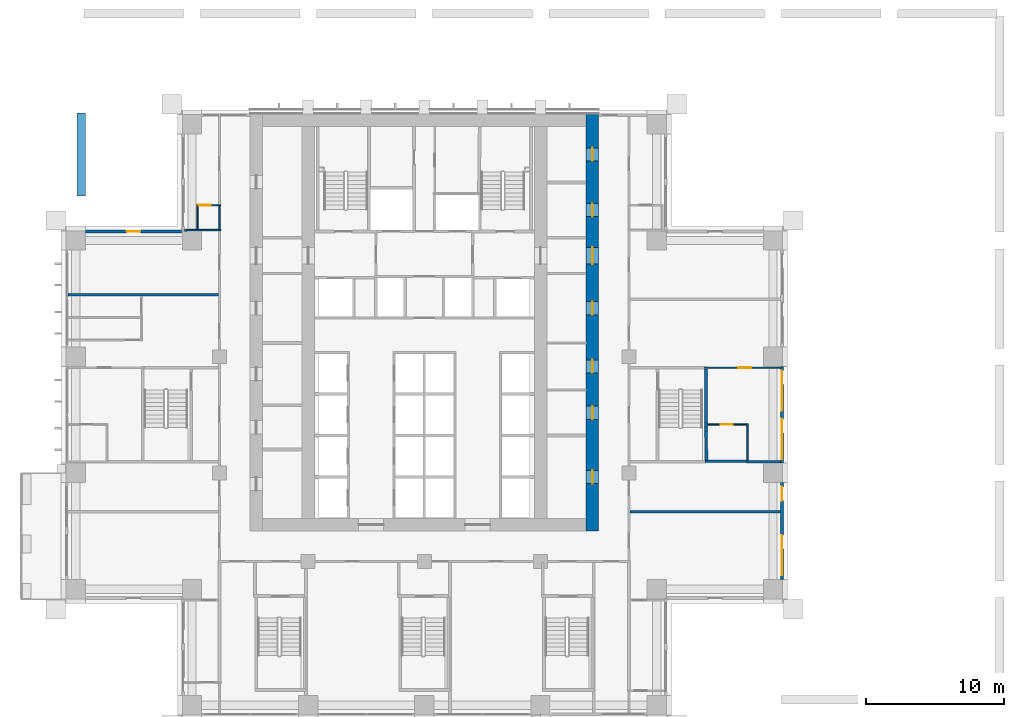
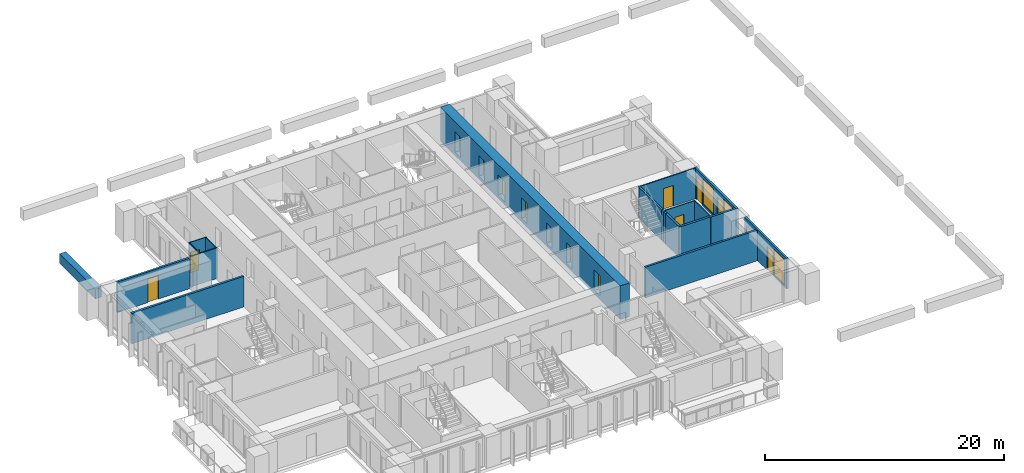
# One storey, part 11 of 18: 21 walls, 15 doors, 3 windows, 18 openings.
"""IFC4 building model written with IfcOpenShell, lengths in metres."""

from ifc_helpers import new_model, si_unit, direction, frame, frame_2d, origin, place, context, subcontext, project, spatial, rectangle, extrude, material, layer, layer_set, type_object, element, fill, save


model = new_model("IFC4")

# Units and contexts
model_context = context("Model", 3, precision=1e-05, world=origin(), true_north=direction((0.0, 1.0)))
body_context = subcontext(model_context, "Body", "Model", "MODEL_VIEW")
ifc_project = project(units=[si_unit("LENGTHUNIT", "METRE"), si_unit("AREAUNIT", "SQUARE_METRE"), si_unit("VOLUMEUNIT", "CUBIC_METRE"), si_unit("PLANEANGLEUNIT", "RADIAN"), si_unit("MASSUNIT", "GRAM", prefix="KILO")], contexts=[model_context])

# Site, building, storey
site_placement = place(None, origin())
site = spatial("IfcSite", under=ifc_project, at=site_placement, CompositionType="ELEMENT")
building_placement = place(site_placement, origin())
building = spatial("IfcBuilding", under=site, at=building_placement, Name="Vermilion Ogive Tower", CompositionType="ELEMENT")
storey_placement = place(building_placement, frame((0.0, 0.0, 34.5)))
storey = spatial("IfcBuildingStorey", under=building, at=storey_placement, Name="L06", CompositionType="ELEMENT", Elevation=34.5)

# Wall, openings, doors
ifc_material_1 = material(Name="Concrete B80", Category="concrete")
ifc_layer_1 = layer(ifc_material_1, 0.89990234375)
ifc_layer_set_1 = layer_set([ifc_layer_1], Name="Core wall 900 B80")
wall_type_1 = type_object("IfcWallType", Name="Core wall 900 B80", PredefinedType="SHEAR", material=ifc_layer_set_1)
wall_1_placement = place(storey_placement, frame((12.14990234375, -8.39990234375, -0.320068359375), z_axis=(0.0, 0.0, 1.0), x_axis=(0.0, 1.0, 0.0)))
wall_1 = element("IfcWall", 1, at=wall_1_placement, inside=storey, type_object=wall_type_1, Name="L06-CORE-E", PredefinedType="SHEAR", context=body_context, shape_type="SweptSolid", body=[
    extrude(rectangle(XDim=30.14990234375, YDim=0.89990234375, at=frame_2d((15.074951171875, 0.0))), origin(), (0.0, 0.0, 1.0), 3.449951171875),
])
opening_1_placement = place(wall_1_placement, frame((3.425048828125, 0.0, 0.320068359375)))
opening_1 = element("IfcOpeningElement", 2, at=opening_1_placement, cuts=wall_1, Name="Opening DAC001", PredefinedType="OPENING", context=body_context, shape_type="SweptSolid", body=[
    extrude(rectangle(XDim=0.949951171875, YDim=2.10009765625, at=frame_2d((0.47509765625, 1.050048828125))), frame((0.0, 0.4599609375, 0.0), z_axis=(0.0, -1.0, 0.0), x_axis=(1.0, 0.0, 0.0)), (0.0, 0.0, 1.0), 0.919921875),
])
opening_2_placement = place(wall_1_placement, frame((8.074951171875, 0.0, 0.320068359375)))
opening_2 = element("IfcOpeningElement", 3, at=opening_2_placement, cuts=wall_1, Name="Opening DAC002", PredefinedType="OPENING", context=body_context, shape_type="SweptSolid", body=[
    extrude(rectangle(XDim=0.949951171875, YDim=2.10009765625, at=frame_2d((0.47509765625, 1.050048828125))), frame((0.0, 0.4599609375, 0.0), z_axis=(0.0, -1.0, 0.0), x_axis=(1.0, 0.0, 0.0)), (0.0, 0.0, 1.0), 0.919921875),
])
opening_3_placement = place(wall_1_placement, frame((11.425048828125, 0.0, 0.320068359375)))
opening_3 = element("IfcOpeningElement", 4, at=opening_3_placement, cuts=wall_1, Name="Opening DAC003", PredefinedType="OPENING", context=body_context, shape_type="SweptSolid", body=[
    extrude(rectangle(XDim=0.949951171875, YDim=2.10009765625, at=frame_2d((0.47509765625, 1.050048828125))), frame((0.0, 0.4599609375, 0.0), z_axis=(0.0, -1.0, 0.0), x_axis=(1.0, 0.0, 0.0)), (0.0, 0.0, 1.0), 0.919921875),
])
opening_4_placement = place(wall_1_placement, frame((15.625, 0.0, 0.320068359375)))
opening_4 = element("IfcOpeningElement", 5, at=opening_4_placement, cuts=wall_1, Name="Opening DAC004", PredefinedType="OPENING", context=body_context, shape_type="SweptSolid", body=[
    extrude(rectangle(XDim=0.949951171875, YDim=2.10009765625, at=frame_2d((0.47509765625, 1.050048828125))), frame((0.0, 0.4599609375, 0.0), z_axis=(0.0, -1.0, 0.0), x_axis=(1.0, 0.0, 0.0)), (0.0, 0.0, 1.0), 0.919921875),
])
opening_5_placement = place(wall_1_placement, frame((22.72509765625, 0.0, 0.320068359375)))
opening_5 = element("IfcOpeningElement", 6, at=opening_5_placement, cuts=wall_1, Name="Opening DAC005", PredefinedType="OPENING", context=body_context, shape_type="SweptSolid", body=[
    extrude(rectangle(XDim=0.949951171875, YDim=2.10009765625, at=frame_2d((0.47509765625, 1.050048828125))), frame((0.0, 0.4599609375, 0.0), z_axis=(0.0, -1.0, 0.0), x_axis=(1.0, 0.0, 0.0)), (0.0, 0.0, 1.0), 0.919921875),
])
opening_6_placement = place(wall_1_placement, frame((26.75, 0.0, 0.320068359375)))
opening_6 = element("IfcOpeningElement", 7, at=opening_6_placement, cuts=wall_1, Name="Opening DAC006", PredefinedType="OPENING", context=body_context, shape_type="SweptSolid", body=[
    extrude(rectangle(XDim=0.949951171875, YDim=2.10009765625, at=frame_2d((0.47509765625, 1.050048828125))), frame((0.0, 0.4599609375, 0.0), z_axis=(0.0, -1.0, 0.0), x_axis=(1.0, 0.0, 0.0)), (0.0, 0.0, 1.0), 0.919921875),
])
opening_7_placement = place(wall_1_placement, frame((19.300048828125, 0.0, 0.320068359375)))
opening_7 = element("IfcOpeningElement", 8, at=opening_7_placement, cuts=wall_1, Name="Opening DAL001", PredefinedType="OPENING", context=body_context, shape_type="SweptSolid", body=[
    extrude(rectangle(XDim=1.199951171875, YDim=2.10009765625, at=frame_2d((0.60009765625, 1.050048828125))), frame((0.0, 0.4599609375, 0.0), z_axis=(0.0, -1.0, 0.0), x_axis=(1.0, 0.0, 0.0)), (0.0, 0.0, 1.0), 0.919921875),
])
ifc_material_2 = material(Name="Timber door leaf", Category="wood")
door_type_1 = type_object("IfcDoorType", Name="Link door 1200 x 2100 FD60S", OperationType="SINGLE_SWING_LEFT", PredefinedType="DOOR", material=ifc_material_2)
door_1_placement = place(opening_7_placement, origin())
door_1 = element("IfcDoor", 9, at=door_1_placement, inside=storey, type_object=door_type_1, Name="L06-CKE-XL", OperationType="SINGLE_SWING_LEFT", OverallHeight=2.10009765625, OverallWidth=1.199951171875, PredefinedType="DOOR", context=body_context, shape_type="SweptSolid", body=[
    extrude(rectangle(XDim=1.199951171875, YDim=2.10009765625, at=frame_2d((0.60009765625, 1.050048828125))), frame((0.0, 0.02490234375, 0.0), z_axis=(0.0, -1.0, 0.0), x_axis=(1.0, 0.0, 0.0)), (0.0, 0.0, 1.0), 0.050048828125),
])
fill(opening_7, door_1)
ifc_material_3 = material(Name="Timber door leaf", Category="wood")
door_type_2 = type_object("IfcDoorType", Name="Service door 950 x 2100 FD60", OperationType="SINGLE_SWING_LEFT", PredefinedType="DOOR", material=ifc_material_3)
door_2_placement = place(opening_1_placement, origin())
door_2 = element("IfcDoor", 10, at=door_2_placement, inside=storey, type_object=door_type_2, Name="L06-CKE-XR0", OperationType="SINGLE_SWING_LEFT", OverallHeight=2.10009765625, OverallWidth=0.949951171875, PredefinedType="DOOR", context=body_context, shape_type="SweptSolid", body=[
    extrude(rectangle(XDim=0.949951171875, YDim=2.10009765625, at=frame_2d((0.47509765625, 1.050048828125))), frame((0.0, 0.02490234375, 0.0), z_axis=(0.0, -1.0, 0.0), x_axis=(1.0, 0.0, 0.0)), (0.0, 0.0, 1.0), 0.050048828125),
])
fill(opening_1, door_2)
door_3_placement = place(opening_2_placement, origin())
door_3 = element("IfcDoor", 11, at=door_3_placement, inside=storey, type_object=door_type_2, Name="L06-CKE-XR1", OperationType="SINGLE_SWING_LEFT", OverallHeight=2.10009765625, OverallWidth=0.949951171875, PredefinedType="DOOR", context=body_context, shape_type="SweptSolid", body=[
    extrude(rectangle(XDim=0.949951171875, YDim=2.10009765625, at=frame_2d((0.47509765625, 1.050048828125))), frame((0.0, 0.02490234375, 0.0), z_axis=(0.0, -1.0, 0.0), x_axis=(1.0, 0.0, 0.0)), (0.0, 0.0, 1.0), 0.050048828125),
])
fill(opening_2, door_3)
door_4_placement = place(opening_3_placement, origin())
door_4 = element("IfcDoor", 12, at=door_4_placement, inside=storey, type_object=door_type_2, Name="L06-CKE-XR2", OperationType="SINGLE_SWING_LEFT", OverallHeight=2.10009765625, OverallWidth=0.949951171875, PredefinedType="DOOR", context=body_context, shape_type="SweptSolid", body=[
    extrude(rectangle(XDim=0.949951171875, YDim=2.10009765625, at=frame_2d((0.47509765625, 1.050048828125))), frame((0.0, 0.02490234375, 0.0), z_axis=(0.0, -1.0, 0.0), x_axis=(1.0, 0.0, 0.0)), (0.0, 0.0, 1.0), 0.050048828125),
])
fill(opening_3, door_4)
door_5_placement = place(opening_4_placement, origin())
door_5 = element("IfcDoor", 13, at=door_5_placement, inside=storey, type_object=door_type_2, Name="L06-CKE-XR3", OperationType="SINGLE_SWING_LEFT", OverallHeight=2.10009765625, OverallWidth=0.949951171875, PredefinedType="DOOR", context=body_context, shape_type="SweptSolid", body=[
    extrude(rectangle(XDim=0.949951171875, YDim=2.10009765625, at=frame_2d((0.47509765625, 1.050048828125))), frame((0.0, 0.02490234375, 0.0), z_axis=(0.0, -1.0, 0.0), x_axis=(1.0, 0.0, 0.0)), (0.0, 0.0, 1.0), 0.050048828125),
])
fill(opening_4, door_5)
door_6_placement = place(opening_5_placement, origin())
door_6 = element("IfcDoor", 14, at=door_6_placement, inside=storey, type_object=door_type_2, Name="L06-CKE-XR4", OperationType="SINGLE_SWING_LEFT", OverallHeight=2.10009765625, OverallWidth=0.949951171875, PredefinedType="DOOR", context=body_context, shape_type="SweptSolid", body=[
    extrude(rectangle(XDim=0.949951171875, YDim=2.10009765625, at=frame_2d((0.47509765625, 1.050048828125))), frame((0.0, 0.02490234375, 0.0), z_axis=(0.0, -1.0, 0.0), x_axis=(1.0, 0.0, 0.0)), (0.0, 0.0, 1.0), 0.050048828125),
])
fill(opening_5, door_6)
door_7_placement = place(opening_6_placement, origin())
door_7 = element("IfcDoor", 15, at=door_7_placement, inside=storey, type_object=door_type_2, Name="L06-CKE-XR5", OperationType="SINGLE_SWING_LEFT", OverallHeight=2.10009765625, OverallWidth=0.949951171875, PredefinedType="DOOR", context=body_context, shape_type="SweptSolid", body=[
    extrude(rectangle(XDim=0.949951171875, YDim=2.10009765625, at=frame_2d((0.47509765625, 1.050048828125))), frame((0.0, 0.02490234375, 0.0), z_axis=(0.0, -1.0, 0.0), x_axis=(1.0, 0.0, 0.0)), (0.0, 0.0, 1.0), 0.050048828125),
])
fill(opening_6, door_7)

# Wall, opening, door
ifc_material_4 = material(Name="Gypsum board partition on steel studs", Category="steel")
ifc_layer_2 = layer(ifc_material_4, 0.10009765625)
ifc_layer_set_2 = layer_set([ifc_layer_2], Name="Partition 100 bath")
wall_type_2 = type_object("IfcWallType", Name="Partition 100 bath", PredefinedType="PARTITIONING", material=ifc_layer_set_2)
wall_2_placement = place(storey_placement, frame((20.449951171875, -0.699951171875, 0.0), z_axis=(0.0, 0.0, 1.0), x_axis=(1.0, 0.0, 0.0)))
wall_2 = element("IfcWall", 16, at=wall_2_placement, inside=storey, type_object=wall_type_2, Name="L06-W-W020", PredefinedType="PARTITIONING", context=body_context, shape_type="SweptSolid", body=[
    extrude(rectangle(XDim=2.949951171875, YDim=0.10009765625, at=frame_2d((1.47509765625, 0.0))), origin(), (0.0, 0.0, 1.0), 3.1298828125),
])
opening_8_placement = place(wall_2_placement, frame((0.97509765625, 0.0, 0.0)))
opening_8 = element("IfcOpeningElement", 17, at=opening_8_placement, cuts=wall_2, Name="Opening D1G1019", PredefinedType="OPENING", context=body_context, shape_type="SweptSolid", body=[
    extrude(rectangle(XDim=0.85009765625, YDim=2.10009765625, at=frame_2d((0.425048828125, 1.050048828125))), frame((0.0, 0.06005859375, 0.0), z_axis=(0.0, -1.0, 0.0), x_axis=(1.0, 0.0, 0.0)), (0.0, 0.0, 1.0), 0.1201171875),
])
ifc_material_5 = material(Name="Timber door leaf", Category="wood")
door_type_3 = type_object("IfcDoorType", Name="Bath door 850 x 2100 FD30", OperationType="SINGLE_SWING_LEFT", PredefinedType="DOOR", material=ifc_material_5)
door_8_placement = place(opening_8_placement, origin())
door_8 = element("IfcDoor", 18, at=door_8_placement, inside=storey, type_object=door_type_3, Name="L06-D-D019", OperationType="SINGLE_SWING_RIGHT", OverallHeight=2.10009765625, OverallWidth=0.85009765625, PredefinedType="DOOR", context=body_context, shape_type="SweptSolid", body=[
    extrude(rectangle(XDim=0.85009765625, YDim=2.10009765625, at=frame_2d((0.425048828125, 1.050048828125))), frame((0.0, 0.02490234375, 0.0), z_axis=(0.0, -1.0, 0.0), x_axis=(1.0, 0.0, 0.0)), (0.0, 0.0, 1.0), 0.050048828125),
])
fill(opening_8, door_8)

# Wall
wall_3_placement = place(storey_placement, frame((-17.25, 13.35009765625, 0.0), z_axis=(0.0, 0.0, 1.0), x_axis=(1.0, 0.0, 0.0)))
element("IfcWall", 19, at=wall_3_placement, inside=storey, type_object=wall_type_2, Name="L06-W-W030", PredefinedType="PARTITIONING", context=body_context, shape_type="SweptSolid", body=[
    extrude(rectangle(XDim=2.52490234375, YDim=0.10009765625, at=frame_2d((1.262451171875, 0.0))), origin(), (0.0, 0.0, 1.0), 3.1298828125),
])

# Wall, opening, door
wall_4_placement = place(storey_placement, frame((-16.449951171875, 15.14990234375, 0.0), z_axis=(0.0, 0.0, 1.0), x_axis=(1.0, 0.0, 0.0)))
wall_4 = element("IfcWall", 20, at=wall_4_placement, inside=storey, type_object=wall_type_2, Name="L06-W-W033", PredefinedType="PARTITIONING", context=body_context, shape_type="SweptSolid", body=[
    extrude(rectangle(XDim=1.724853515625, YDim=0.10009765625, at=frame_2d((0.8623046875, 0.0))), origin(), (0.0, 0.0, 1.0), 3.1298828125),
])
opening_9_placement = place(wall_4_placement, frame((0.14990234375, 0.0, 0.0)))
opening_9 = element("IfcOpeningElement", 21, at=opening_9_placement, cuts=wall_4, Name="Opening D1G1011", PredefinedType="OPENING", context=body_context, shape_type="SweptSolid", body=[
    extrude(rectangle(XDim=0.85009765625, YDim=2.10009765625, at=frame_2d((0.425048828125, 1.050048828125))), frame((0.0, 0.06005859375, 0.0), z_axis=(0.0, -1.0, 0.0), x_axis=(1.0, 0.0, 0.0)), (0.0, 0.0, 1.0), 0.1201171875),
])
door_9_placement = place(opening_9_placement, origin())
door_9 = element("IfcDoor", 22, at=door_9_placement, inside=storey, type_object=door_type_3, Name="L06-D-D011", OperationType="SINGLE_SWING_RIGHT", OverallHeight=2.10009765625, OverallWidth=0.85009765625, PredefinedType="DOOR", context=body_context, shape_type="SweptSolid", body=[
    extrude(rectangle(XDim=0.85009765625, YDim=2.10009765625, at=frame_2d((0.425048828125, 1.050048828125))), frame((0.0, 0.02490234375, 0.0), z_axis=(0.0, -1.0, 0.0), x_axis=(1.0, 0.0, 0.0)), (0.0, 0.0, 1.0), 0.050048828125),
])
fill(opening_9, door_9)

# Walls
wall_5_placement = place(storey_placement, frame((-16.39990234375, 13.449951171875, 0.0), z_axis=(0.0, 0.0, 1.0), x_axis=(0.0, 1.0, 0.0)))
element("IfcWall", 23, at=wall_5_placement, inside=storey, type_object=wall_type_2, Name="L06-W-W038", PredefinedType="PARTITIONING", context=body_context, shape_type="SweptSolid", body=[
    extrude(rectangle(XDim=1.650146484375, YDim=0.10009765625, at=frame_2d((0.8251953125, 0.0))), origin(), (0.0, 0.0, 1.0), 3.1298828125),
])
wall_6_placement = place(storey_placement, frame((-14.800048828125, 13.39990234375, 0.0), z_axis=(0.0, 0.0, 1.0), x_axis=(0.0, 1.0, 0.0)))
element("IfcWall", 24, at=wall_6_placement, inside=storey, type_object=wall_type_2, Name="L06-W-W043", PredefinedType="PARTITIONING", context=body_context, shape_type="SweptSolid", body=[
    extrude(rectangle(XDim=1.7001953125, YDim=0.10009765625, at=frame_2d((0.85009765625, 0.0))), origin(), (0.0, 0.0, 1.0), 3.1298828125),
])
wall_7_placement = place(storey_placement, frame((23.35009765625, -3.300048828125, 0.0), z_axis=(0.0, 0.0, 1.0), x_axis=(0.0, 1.0, 0.0)))
element("IfcWall", 25, at=wall_7_placement, inside=storey, type_object=wall_type_2, Name="L06-W-W066", PredefinedType="PARTITIONING", context=body_context, shape_type="SweptSolid", body=[
    extrude(rectangle(XDim=2.550048828125, YDim=0.10009765625, at=frame_2d((1.27490234375, 0.0))), origin(), (0.0, 0.0, 1.0), 3.1298828125),
])

# Wall, opening, door
ifc_material_6 = material(Name="Gypsum board partition on steel studs", Category="steel")
ifc_layer_3 = layer(ifc_material_6, 0.10009765625)
ifc_layer_set_3 = layer_set([ifc_layer_3], Name="Partition 100 inner")
wall_type_3 = type_object("IfcWallType", Name="Partition 100 inner", PredefinedType="PARTITIONING", material=ifc_layer_set_3)
wall_8_placement = place(storey_placement, frame((20.25, 3.39990234375, 0.0), z_axis=(0.0, 0.0, 1.0), x_axis=(1.0, 0.0, 0.0)))
wall_8 = element("IfcWall", 26, at=wall_8_placement, inside=storey, type_object=wall_type_3, Name="L06-W-W024", PredefinedType="PARTITIONING", context=body_context, shape_type="SweptSolid", body=[
    extrude(rectangle(XDim=5.5, YDim=0.10009765625, at=frame_2d((2.75, 0.0))), origin(), (0.0, 0.0, 1.0), 3.1298828125),
])
opening_10_placement = place(wall_8_placement, frame((2.425048828125, 0.0, 0.0)))
opening_10 = element("IfcOpeningElement", 27, at=opening_10_placement, cuts=wall_8, Name="Opening D1G1018", PredefinedType="OPENING", context=body_context, shape_type="SweptSolid", body=[
    extrude(rectangle(XDim=0.949951171875, YDim=2.10009765625, at=frame_2d((0.47509765625, 1.050048828125))), frame((0.0, 0.06005859375, 0.0), z_axis=(0.0, -1.0, 0.0), x_axis=(1.0, 0.0, 0.0)), (0.0, 0.0, 1.0), 0.1201171875),
])
ifc_material_7 = material(Name="Timber door leaf", Category="wood")
door_type_4 = type_object("IfcDoorType", Name="Inner door 950 x 2100 FD30", OperationType="SINGLE_SWING_LEFT", PredefinedType="DOOR", material=ifc_material_7)
door_10_placement = place(opening_10_placement, origin())
door_10 = element("IfcDoor", 28, at=door_10_placement, inside=storey, type_object=door_type_4, Name="L06-D-D018", OperationType="SINGLE_SWING_LEFT", OverallHeight=2.10009765625, OverallWidth=0.949951171875, PredefinedType="DOOR", context=body_context, shape_type="SweptSolid", body=[
    extrude(rectangle(XDim=0.949951171875, YDim=2.10009765625, at=frame_2d((0.47509765625, 1.050048828125))), frame((0.0, 0.02490234375, 0.0), z_axis=(0.0, -1.0, 0.0), x_axis=(1.0, 0.0, 0.0)), (0.0, 0.0, 1.0), 0.050048828125),
])
fill(opening_10, door_10)

# Walls
ifc_material_8 = material(Name="Gypsum board partition on steel studs", Category="steel")
ifc_layer_4 = layer(ifc_material_8, 0.199951171875)
ifc_layer_set_4 = layer_set([ifc_layer_4], Name="Partition 200 party")
wall_type_4 = type_object("IfcWallType", Name="Partition 200 party", PredefinedType="PARTITIONING", material=ifc_layer_set_4)
wall_9_placement = place(storey_placement, frame((14.875, -7.0, 0.0), z_axis=(0.0, 0.0, 1.0), x_axis=(1.0, 0.0, 0.0)))
element("IfcWall", 29, at=wall_9_placement, inside=storey, type_object=wall_type_4, Name="L06-W-W013", PredefinedType="PARTITIONING", context=body_context, shape_type="SweptSolid", body=[
    extrude(rectangle(XDim=10.875, YDim=0.199951171875, at=frame_2d((5.4375, 0.0))), origin(), (0.0, 0.0, 1.0), 3.1298828125),
])
wall_10_placement = place(storey_placement, frame((23.300048828125, -3.39990234375, 0.0), z_axis=(0.0, 0.0, 1.0), x_axis=(1.0, 0.0, 0.0)))
element("IfcWall", 30, at=wall_10_placement, inside=storey, type_object=wall_type_4, Name="L06-W-W018", PredefinedType="PARTITIONING", context=body_context, shape_type="SweptSolid", body=[
    extrude(rectangle(XDim=2.449951171875, YDim=0.199951171875, at=frame_2d((1.22509765625, 0.0))), origin(), (0.0, 0.0, 1.0), 3.1298828125),
])
wall_11_placement = place(storey_placement, frame((-25.75, 8.679931640625, 0.0), z_axis=(0.0, 0.0, 1.0), x_axis=(1.0, 0.0, 0.0)))
element("IfcWall", 31, at=wall_11_placement, inside=storey, type_object=wall_type_4, Name="L06-W-W028", PredefinedType="PARTITIONING", context=body_context, shape_type="SweptSolid", body=[
    extrude(rectangle(XDim=10.875, YDim=0.199951171875, at=frame_2d((5.4375, 0.0))), origin(), (0.0, 0.0, 1.0), 3.1298828125),
])
wall_12_placement = place(storey_placement, frame((-17.35009765625, 13.35009765625, 0.0), z_axis=(0.0, 0.0, 1.0), x_axis=(1.0, 0.0, 0.0)))
element("IfcWall", 32, at=wall_12_placement, inside=storey, type_object=wall_type_4, Name="L06-W-W029", PredefinedType="PARTITIONING", context=body_context, shape_type="SweptSolid", body=[
    extrude(rectangle(XDim=0.2001953125, YDim=0.199951171875, at=frame_2d((0.10009765625, 0.0))), origin(), (0.0, 0.0, 1.0), 3.1298828125),
])
ifc_material_9 = material(Name="Concrete B60", Category="concrete")
ifc_layer_5 = layer(ifc_material_9, 0.199951171875)
ifc_layer_set_5 = layer_set([ifc_layer_5], Name="Stair shaft wall 200 Concrete B60")
wall_type_5 = type_object("IfcWallType", Name="Stair shaft wall 200 Concrete B60", PredefinedType="SOLIDWALL", material=ifc_layer_set_5)
wall_13_placement = place(storey_placement, frame((20.300048828125, -3.349853515625, 0.0), z_axis=(0.0, 0.0, 1.0), x_axis=(1.0, 0.0, 0.0)))
element("IfcWall", 33, at=wall_13_placement, inside=storey, type_object=wall_type_5, Name="L06-W-W017", PredefinedType="SOLIDWALL", context=body_context, shape_type="SweptSolid", body=[
    extrude(rectangle(XDim=3.099853515625, YDim=0.199951171875, at=frame_2d((1.5498046875, 0.0))), origin(), (0.0, 0.0, 1.0), 3.1298828125),
])
wall_14_placement = place(storey_placement, frame((20.359130859375, -1.169921875, 0.0), z_axis=(0.0, 0.0, 1.0), x_axis=(-0.019540242435, 0.999809071236, 0.0)))
element("IfcWall", 34, at=wall_14_placement, inside=storey, type_object=wall_type_5, Name="L06-W-W064", PredefinedType="SOLIDWALL", context=body_context, shape_type="SweptSolid", body=[
    extrude(rectangle(XDim=0.2998046875, YDim=0.199951171875, at=frame_2d((0.14990234375, 0.0))), origin(), (0.0, 0.0, 1.0), 3.1298828125),
])
wall_15_placement = place(storey_placement, frame((20.35009765625, -0.52978515625, 0.0), z_axis=(0.0, 0.0, 1.0), x_axis=(0.0, 1.0, 0.0)))
element("IfcWall", 35, at=wall_15_placement, inside=storey, type_object=wall_type_5, Name="L06-W-W065", PredefinedType="SOLIDWALL", context=body_context, shape_type="SweptSolid", body=[
    extrude(rectangle(XDim=3.829833984375, YDim=0.199951171875, at=frame_2d((1.9150390625, 0.0))), origin(), (0.0, 0.0, 1.0), 3.1298828125),
])
wall_16_placement = place(storey_placement, frame((20.35009765625, -0.8701171875, 0.0), z_axis=(0.0, 0.0, 1.0), x_axis=(0.0, 1.0, 0.0)))
element("IfcWall", 36, at=wall_16_placement, inside=storey, type_object=wall_type_5, Name="L06-SW-ST8-E1", PredefinedType="SOLIDWALL", context=body_context, shape_type="SweptSolid", body=[
    extrude(rectangle(XDim=0.34033203125, YDim=0.199951171875, at=frame_2d((0.170166015625, 0.0))), origin(), (0.0, 0.0, 1.0), 3.1298828125),
])
wall_17_placement = place(storey_placement, frame((20.400146484375, -3.300048828125, 0.0), z_axis=(0.0, 0.0, 1.0), x_axis=(-0.019251445867, 0.999814673743, 0.0)))
element("IfcWall", 37, at=wall_17_placement, inside=storey, type_object=wall_type_5, Name="L06-W-W064-A", PredefinedType="SOLIDWALL", context=body_context, shape_type="SweptSolid", body=[
    extrude(rectangle(XDim=2.130615234375, YDim=0.199951171875, at=frame_2d((1.0654296875, 0.0))), origin(), (0.0, 0.0, 1.0), 3.1298828125),
])
ifc_material_10 = material(Name="Concrete B40", Category="concrete")
ifc_layer_6 = layer(ifc_material_10, 0.60009765625)
ifc_layer_set_6 = layer_set([ifc_layer_6], Name="Terrace planter")
wall_type_6 = type_object("IfcWallType", Name="Terrace planter", PredefinedType="USERDEFINED", material=ifc_layer_set_6)
wall_18_placement = place(storey_placement, frame((-24.800048828125, 15.800048828125, 0.0), z_axis=(0.0, 0.0, 1.0), x_axis=(0.0, 1.0, 0.0)))
element("IfcWall", 38, at=wall_18_placement, inside=storey, type_object=wall_type_6, Name="Terrace planter 2.1.1", ObjectType="PLANTER", PredefinedType="USERDEFINED", context=body_context, shape_type="SweptSolid", body=[
    extrude(rectangle(XDim=6.0, YDim=0.60009765625, at=frame_2d((3.0, 0.0))), origin(), (0.0, 0.0, 1.0), 1.0),
])

# Wall, openings, doors, window
ifc_material_11 = material(Name="Aluminium window wall framing", Category="aluminium")
ifc_layer_7 = layer(ifc_material_11, 0.199951171875)
ifc_layer_set_7 = layer_set([ifc_layer_7], Name="Window wall")
wall_type_7 = type_object("IfcWallType", Name="Window wall", PredefinedType="STANDARD", material=ifc_layer_set_7)
wall_19_placement = place(storey_placement, frame((25.85009765625, -11.89990234375, 0.0), z_axis=(0.0, 0.0, 1.0), x_axis=(0.0, 1.0, 0.0)))
wall_19 = element("IfcWall", 39, at=wall_19_placement, inside=storey, type_object=wall_type_7, Name="Window wall E1", PredefinedType="STANDARD", context=body_context, shape_type="SweptSolid", body=[
    extrude(rectangle(XDim=7.0, YDim=0.199951171875, at=frame_2d((3.5, 0.0))), origin(), (0.0, 0.0, 1.0), 3.1298828125),
])
opening_11_placement = place(wall_19_placement, frame((0.300048828125, 0.0, 0.199951171875)))
opening_11 = element("IfcOpeningElement", 40, at=opening_11_placement, cuts=wall_19, Name="Opening W1-E97", PredefinedType="OPENING", context=body_context, shape_type="SweptSolid", body=[
    extrude(rectangle(XDim=1.800048828125, YDim=2.64990234375, at=frame_2d((0.89990234375, 1.324951171875))), frame((0.0, 0.10986328125, 0.0), z_axis=(0.0, -1.0, 0.0), x_axis=(1.0, 0.0, 0.0)), (0.0, 0.0, 1.0), 0.219970703125),
])
opening_12_placement = place(wall_19_placement, frame((2.199951171875, 0.0, 0.0)))
opening_12 = element("IfcOpeningElement", 41, at=opening_12_placement, cuts=wall_19, Name="Opening D1-E97", PredefinedType="OPENING", context=body_context, shape_type="SweptSolid", body=[
    extrude(rectangle(XDim=1.0, YDim=2.39990234375, at=frame_2d((0.5, 1.199951171875))), frame((0.0, 0.10986328125, 0.0), z_axis=(0.0, -1.0, 0.0), x_axis=(1.0, 0.0, 0.0)), (0.0, 0.0, 1.0), 0.219970703125),
])
opening_13_placement = place(wall_19_placement, frame((5.699951171875, 0.0, 0.0)))
opening_13 = element("IfcOpeningElement", 42, at=opening_13_placement, cuts=wall_19, Name="Opening D1-E98", PredefinedType="OPENING", context=body_context, shape_type="SweptSolid", body=[
    extrude(rectangle(XDim=1.0, YDim=2.39990234375, at=frame_2d((0.5, 1.199951171875))), frame((0.0, 0.10986328125, 0.0), z_axis=(0.0, -1.0, 0.0), x_axis=(1.0, 0.0, 0.0)), (0.0, 0.0, 1.0), 0.219970703125),
])
ifc_material_12 = material(Name="Aluminium framed glazed door", Category="aluminium")
door_type_5 = type_object("IfcDoorType", Name="Balcony door D1", OperationType="SINGLE_SWING_LEFT", PredefinedType="DOOR", material=ifc_material_12)
door_11_placement = place(opening_12_placement, origin())
door_11 = element("IfcDoor", 43, at=door_11_placement, inside=storey, type_object=door_type_5, Name="Balcony door E97", OperationType="SINGLE_SWING_LEFT", OverallHeight=2.39990234375, OverallWidth=1.0, PredefinedType="DOOR", context=body_context, shape_type="SweptSolid", body=[
    extrude(rectangle(XDim=1.0, YDim=2.39990234375, at=frame_2d((0.5, 1.199951171875))), frame((0.0, 0.02490234375, 0.0), z_axis=(0.0, -1.0, 0.0), x_axis=(1.0, 0.0, 0.0)), (0.0, 0.0, 1.0), 0.050048828125),
])
fill(opening_12, door_11)
door_12_placement = place(opening_13_placement, origin())
door_12 = element("IfcDoor", 44, at=door_12_placement, inside=storey, type_object=door_type_5, Name="Balcony door E98", OperationType="SINGLE_SWING_LEFT", OverallHeight=2.39990234375, OverallWidth=1.0, PredefinedType="DOOR", context=body_context, shape_type="SweptSolid", body=[
    extrude(rectangle(XDim=1.0, YDim=2.39990234375, at=frame_2d((0.5, 1.199951171875))), frame((0.0, 0.02490234375, 0.0), z_axis=(0.0, -1.0, 0.0), x_axis=(1.0, 0.0, 0.0)), (0.0, 0.0, 1.0), 0.050048828125),
])
fill(opening_13, door_12)
ifc_material_13 = material(Name="Aluminium framed double glazing", Category="aluminium")
window_type = type_object("IfcWindowType", Name="Guest window W1", PartitioningType="SINGLE_PANEL", PredefinedType="WINDOW", material=ifc_material_13)
window_1_placement = place(opening_11_placement, origin())
window_1 = element("IfcWindow", 45, at=window_1_placement, inside=storey, type_object=window_type, Name="Window E97", OverallHeight=2.64990234375, OverallWidth=1.800048828125, PartitioningType="SINGLE_PANEL", PredefinedType="WINDOW", context=body_context, shape_type="SweptSolid", body=[
    extrude(rectangle(XDim=1.800048828125, YDim=2.64990234375, at=frame_2d((0.89990234375, 1.324951171875))), frame((0.0, 0.030029296875, 0.0), z_axis=(0.0, -1.0, 0.0), x_axis=(1.0, 0.0, 0.0)), (0.0, 0.0, 1.0), 0.06005859375),
])
fill(opening_11, window_1)

# Wall, openings, doors, windows
wall_20_placement = place(storey_placement, frame((25.85009765625, -3.5, 0.0), z_axis=(0.0, 0.0, 1.0), x_axis=(0.0, 1.0, 0.0)))
wall_20 = element("IfcWall", 46, at=wall_20_placement, inside=storey, type_object=wall_type_7, Name="Window wall E2", PredefinedType="STANDARD", context=body_context, shape_type="SweptSolid", body=[
    extrude(rectangle(XDim=7.0, YDim=0.199951171875, at=frame_2d((3.5, 0.0))), origin(), (0.0, 0.0, 1.0), 3.1298828125),
])
opening_14_placement = place(wall_20_placement, frame((0.300048828125, 0.0, 0.199951171875)))
opening_14 = element("IfcOpeningElement", 47, at=opening_14_placement, cuts=wall_20, Name="Opening W1-E99", PredefinedType="OPENING", context=body_context, shape_type="SweptSolid", body=[
    extrude(rectangle(XDim=1.800048828125, YDim=2.64990234375, at=frame_2d((0.89990234375, 1.324951171875))), frame((0.0, 0.10986328125, 0.0), z_axis=(0.0, -1.0, 0.0), x_axis=(1.0, 0.0, 0.0)), (0.0, 0.0, 1.0), 0.219970703125),
])
opening_15_placement = place(wall_20_placement, frame((2.199951171875, 0.0, 0.0)))
opening_15 = element("IfcOpeningElement", 48, at=opening_15_placement, cuts=wall_20, Name="Opening D1-E99", PredefinedType="OPENING", context=body_context, shape_type="SweptSolid", body=[
    extrude(rectangle(XDim=1.0, YDim=2.39990234375, at=frame_2d((0.5, 1.199951171875))), frame((0.0, 0.10986328125, 0.0), z_axis=(0.0, -1.0, 0.0), x_axis=(1.0, 0.0, 0.0)), (0.0, 0.0, 1.0), 0.219970703125),
])
opening_16_placement = place(wall_20_placement, frame((3.800048828125, 0.0, 0.199951171875)))
opening_16 = element("IfcOpeningElement", 49, at=opening_16_placement, cuts=wall_20, Name="Opening W1-E00", PredefinedType="OPENING", context=body_context, shape_type="SweptSolid", body=[
    extrude(rectangle(XDim=1.800048828125, YDim=2.64990234375, at=frame_2d((0.89990234375, 1.324951171875))), frame((0.0, 0.10986328125, 0.0), z_axis=(0.0, -1.0, 0.0), x_axis=(1.0, 0.0, 0.0)), (0.0, 0.0, 1.0), 0.219970703125),
])
opening_17_placement = place(wall_20_placement, frame((5.699951171875, 0.0, 0.0)))
opening_17 = element("IfcOpeningElement", 50, at=opening_17_placement, cuts=wall_20, Name="Opening D1-E00", PredefinedType="OPENING", context=body_context, shape_type="SweptSolid", body=[
    extrude(rectangle(XDim=1.0, YDim=2.39990234375, at=frame_2d((0.5, 1.199951171875))), frame((0.0, 0.10986328125, 0.0), z_axis=(0.0, -1.0, 0.0), x_axis=(1.0, 0.0, 0.0)), (0.0, 0.0, 1.0), 0.219970703125),
])
door_13_placement = place(opening_15_placement, origin())
door_13 = element("IfcDoor", 51, at=door_13_placement, inside=storey, type_object=door_type_5, Name="Balcony door E99", OperationType="SINGLE_SWING_LEFT", OverallHeight=2.39990234375, OverallWidth=1.0, PredefinedType="DOOR", context=body_context, shape_type="SweptSolid", body=[
    extrude(rectangle(XDim=1.0, YDim=2.39990234375, at=frame_2d((0.5, 1.199951171875))), frame((0.0, 0.02490234375, 0.0), z_axis=(0.0, -1.0, 0.0), x_axis=(1.0, 0.0, 0.0)), (0.0, 0.0, 1.0), 0.050048828125),
])
fill(opening_15, door_13)
door_14_placement = place(opening_17_placement, origin())
door_14 = element("IfcDoor", 52, at=door_14_placement, inside=storey, type_object=door_type_5, Name="Balcony door E00", OperationType="SINGLE_SWING_LEFT", OverallHeight=2.39990234375, OverallWidth=1.0, PredefinedType="DOOR", context=body_context, shape_type="SweptSolid", body=[
    extrude(rectangle(XDim=1.0, YDim=2.39990234375, at=frame_2d((0.5, 1.199951171875))), frame((0.0, 0.02490234375, 0.0), z_axis=(0.0, -1.0, 0.0), x_axis=(1.0, 0.0, 0.0)), (0.0, 0.0, 1.0), 0.050048828125),
])
fill(opening_17, door_14)
window_2_placement = place(opening_14_placement, origin())
window_2 = element("IfcWindow", 53, at=window_2_placement, inside=storey, type_object=window_type, Name="Window E99", OverallHeight=2.64990234375, OverallWidth=1.800048828125, PartitioningType="SINGLE_PANEL", PredefinedType="WINDOW", context=body_context, shape_type="SweptSolid", body=[
    extrude(rectangle(XDim=1.800048828125, YDim=2.64990234375, at=frame_2d((0.89990234375, 1.324951171875))), frame((0.0, 0.030029296875, 0.0), z_axis=(0.0, -1.0, 0.0), x_axis=(1.0, 0.0, 0.0)), (0.0, 0.0, 1.0), 0.06005859375),
])
fill(opening_14, window_2)
window_3_placement = place(opening_16_placement, origin())
window_3 = element("IfcWindow", 54, at=window_3_placement, inside=storey, type_object=window_type, Name="Window E00", OverallHeight=2.64990234375, OverallWidth=1.800048828125, PartitioningType="SINGLE_PANEL", PredefinedType="WINDOW", context=body_context, shape_type="SweptSolid", body=[
    extrude(rectangle(XDim=1.800048828125, YDim=2.64990234375, at=frame_2d((0.89990234375, 1.324951171875))), frame((0.0, 0.030029296875, 0.0), z_axis=(0.0, -1.0, 0.0), x_axis=(1.0, 0.0, 0.0)), (0.0, 0.0, 1.0), 0.06005859375),
])
fill(opening_16, window_3)

# Wall, opening, door
wall_21_placement = place(storey_placement, frame((-17.550048828125, 13.25, 0.0), z_axis=(0.0, 0.0, 1.0), x_axis=(-1.0, 0.0, 0.0)))
wall_21 = element("IfcWall", 55, at=wall_21_placement, inside=storey, type_object=wall_type_7, Name="Window wall X61", PredefinedType="STANDARD", context=body_context, shape_type="SweptSolid", body=[
    extrude(rectangle(XDim=6.949951171875, YDim=0.199951171875, at=frame_2d((3.47509765625, 0.0))), origin(), (0.0, 0.0, 1.0), 3.1298828125),
])
opening_18_placement = place(wall_21_placement, frame((2.97509765625, 0.0, 0.0)))
opening_18 = element("IfcOpeningElement", 56, at=opening_18_placement, cuts=wall_21, Name="Opening D1-X6X", PredefinedType="OPENING", context=body_context, shape_type="SweptSolid", body=[
    extrude(rectangle(XDim=1.0, YDim=2.39990234375, at=frame_2d((0.5, 1.199951171875))), frame((0.0, 0.10986328125, 0.0), z_axis=(0.0, -1.0, 0.0), x_axis=(1.0, 0.0, 0.0)), (0.0, 0.0, 1.0), 0.219970703125),
])
door_15_placement = place(opening_18_placement, origin())
door_15 = element("IfcDoor", 57, at=door_15_placement, inside=storey, type_object=door_type_5, Name="Balcony door X6X", OperationType="SINGLE_SWING_LEFT", OverallHeight=2.39990234375, OverallWidth=1.0, PredefinedType="DOOR", context=body_context, shape_type="SweptSolid", body=[
    extrude(rectangle(XDim=1.0, YDim=2.39990234375, at=frame_2d((0.5, 1.199951171875))), frame((0.0, 0.02490234375, 0.0), z_axis=(0.0, -1.0, 0.0), x_axis=(1.0, 0.0, 0.0)), (0.0, 0.0, 1.0), 0.050048828125),
])
fill(opening_18, door_15)

save(model, "model.ifc")
